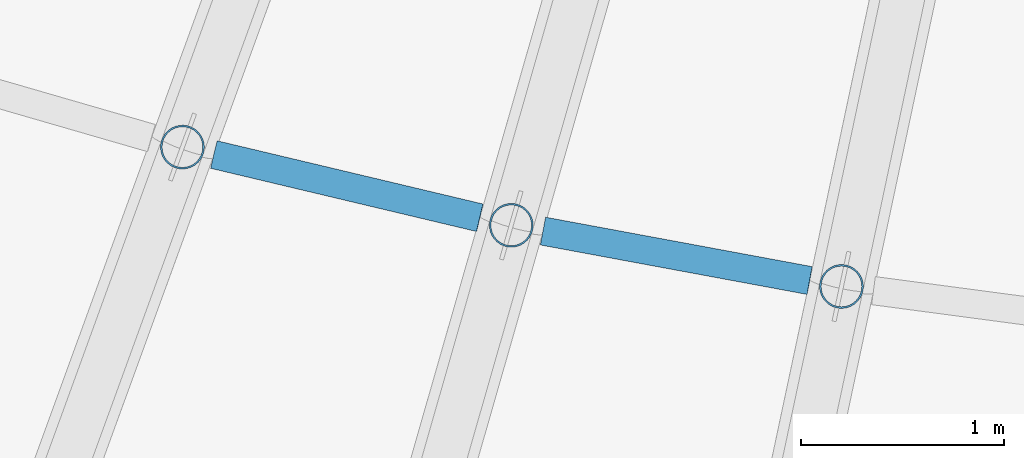
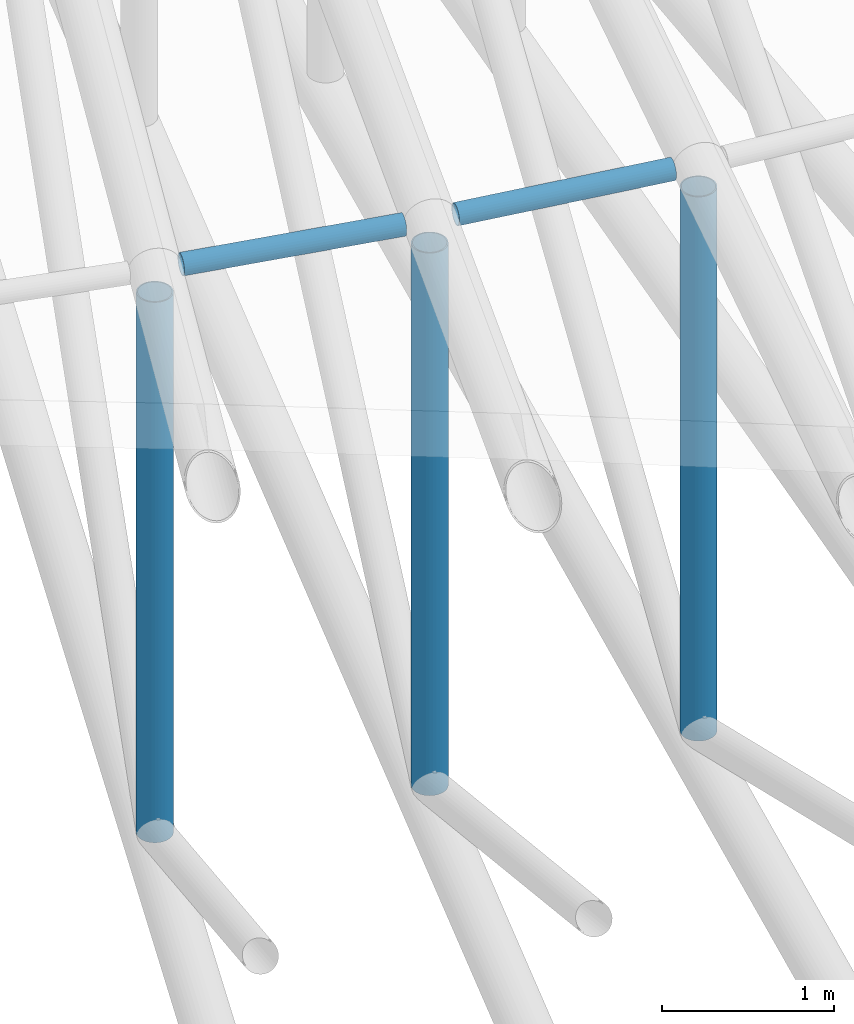
# One storey, part 32 of 163: 5 members.
"""IFC4 building model written with IfcOpenShell, lengths in metres."""

from ifc_helpers import new_model, si_unit, direction, frame, origin, origin_2d, place, context, subcontext, project, spatial, hollow_circle, extrude, material, material_profile, profile_set, type_object, element, save


model = new_model("IFC4")

# Units and contexts
model_context = context("Model", 3, precision=1e-05, world=origin(), true_north=direction((0.0, 1.0)))
body_context = subcontext(model_context, "Body", "Model", "MODEL_VIEW")
ifc_project = project(units=[si_unit("LENGTHUNIT", "METRE"), si_unit("AREAUNIT", "SQUARE_METRE"), si_unit("VOLUMEUNIT", "CUBIC_METRE"), si_unit("PLANEANGLEUNIT", "RADIAN"), si_unit("MASSUNIT", "GRAM", prefix="KILO")], contexts=[model_context])

# Site, building, storey
site_placement = place(None, origin())
site = spatial("IfcSite", under=ifc_project, at=site_placement, CompositionType="ELEMENT")
building_placement = place(site_placement, origin())
building = spatial("IfcBuilding", under=site, at=building_placement, Name="Rain Tree Exposition and Congress Centre", CompositionType="ELEMENT")
storey_placement = place(building_placement, frame((0.0, 0.0, 10.5)))
storey = spatial("IfcBuildingStorey", under=building, at=storey_placement, Name="L02", CompositionType="ELEMENT", Elevation=10.5)

# Members
ifc_material_1 = material(Name="Steel S355J2H", Category="steel")
ifc_material_profile_1 = material_profile(ifc_material_1, hollow_circle(Radius=0.108154296875, WallThickness=0.008056640625, at=origin_2d()), Name="CHS 216x8")
ifc_profile_set_1 = profile_set([ifc_material_profile_1], Name="Steel S355J2H")
member_type_1 = type_object("IfcMemberType", Name="Steel post member CHS 216x8", PredefinedType="POST", material=ifc_profile_set_1)
member_1_placement = place(storey_placement, frame((193.44775390625, 44.802001953125, 0.318603515625), z_axis=(0.0, 0.0, 1.0), x_axis=(1.0, 0.0, 0.0)))
element("IfcMember", 1, at=member_1_placement, inside=storey, type_object=member_type_1, Name="TP5-4", PredefinedType="POST", context=body_context, shape_type="SweptSolid", body=[
    extrude(hollow_circle(Radius=0.108154296875, WallThickness=0.008056640625, at=origin_2d()), origin(), (0.0, 0.0, 1.0), 3.827880859375),
])
member_2_placement = place(storey_placement, frame((195.067138671875, 44.4169921875, 0.318603515625), z_axis=(0.0, 0.0, 1.0), x_axis=(1.0, 0.0, 0.0)))
element("IfcMember", 2, at=member_2_placement, inside=storey, type_object=member_type_1, Name="TP6-4", PredefinedType="POST", context=body_context, shape_type="SweptSolid", body=[
    extrude(hollow_circle(Radius=0.108154296875, WallThickness=0.008056640625, at=origin_2d()), origin(), (0.0, 0.0, 1.0), 3.843017578125),
])
member_3_placement = place(storey_placement, frame((196.693359375, 44.11572265625, 0.318603515625), z_axis=(0.0, 0.0, 1.0), x_axis=(1.0, 0.0, 0.0)))
element("IfcMember", 3, at=member_3_placement, inside=storey, type_object=member_type_1, Name="TP7-4", PredefinedType="POST", context=body_context, shape_type="SweptSolid", body=[
    extrude(hollow_circle(Radius=0.108154296875, WallThickness=0.008056640625, at=origin_2d()), origin(), (0.0, 0.0, 1.0), 3.8544921875),
])
ifc_material_2 = material(Name="Steel S355J2H", Category="steel")
ifc_material_profile_2 = material_profile(ifc_material_2, hollow_circle(Radius=0.06982421875, WallThickness=0.0048828125, at=origin_2d()), Name="CHS 140x5")
ifc_profile_set_2 = profile_set([ifc_material_profile_2], Name="Steel S355J2H")
member_type_2 = type_object("IfcMemberType", Name="Steel purlin member CHS 140x5", PredefinedType="PURLIN", material=ifc_profile_set_2)
member_4_placement = place(storey_placement, frame((193.602783203125, 44.76513671875, 4.308837890625), z_axis=(0.972842382483, -0.231283616943, 0.009251344678), x_axis=(0.231293515058, 0.97288401667, 0.0)))
element("IfcMember", 4, at=member_4_placement, inside=storey, type_object=member_type_2, Name="PU5-4", PredefinedType="PURLIN", context=body_context, shape_type="SweptSolid", body=[
    extrude(hollow_circle(Radius=0.06982421875, WallThickness=0.0048828125, at=origin_2d()), origin(), (0.0, 0.0, 1.0), 1.345947265625),
])
member_5_placement = place(storey_placement, frame((195.2236328125, 44.38818359375, 4.32373046875), z_axis=(0.983223099151, -0.18227471734, 0.006947281102), x_axis=(0.182279116218, 0.983246827501, 0.0)))
element("IfcMember", 5, at=member_5_placement, inside=storey, type_object=member_type_2, Name="PU6-4", PredefinedType="PURLIN", context=body_context, shape_type="SweptSolid", body=[
    extrude(hollow_circle(Radius=0.06982421875, WallThickness=0.0048828125, at=origin_2d()), origin(), (0.0, 0.0, 1.0), 1.33544921875),
])

save(model, "model.ifc")
